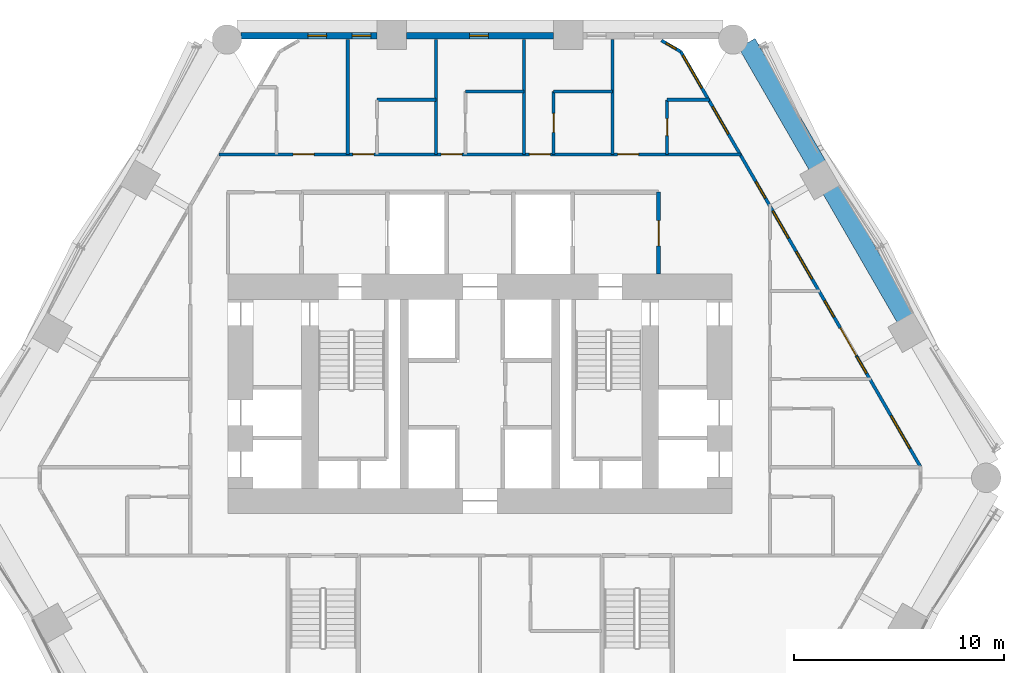
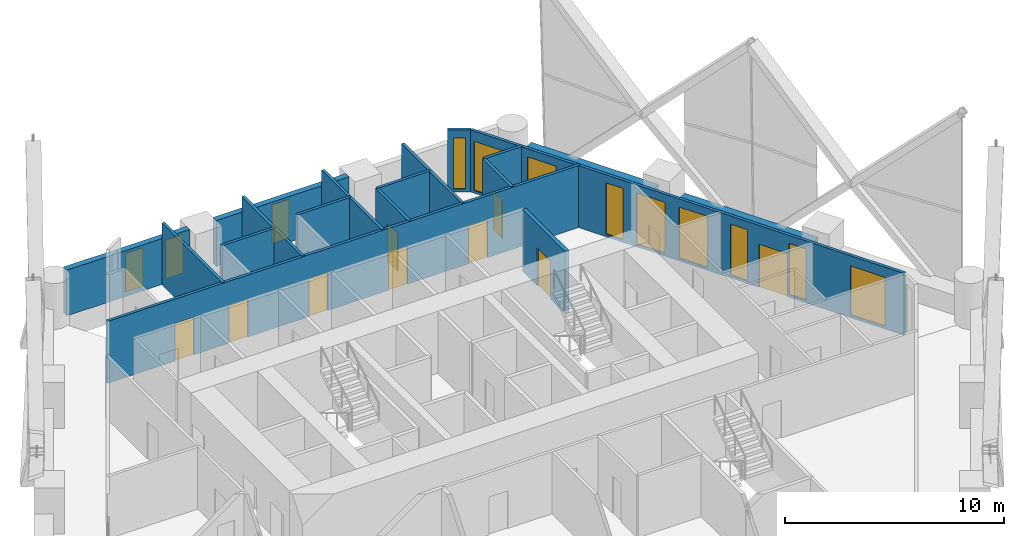
# One storey, part 15 of 22: 18 walls, 12 windows, 9 doors, 21 openings.
"""IFC4 building model written with IfcOpenShell, lengths in metres."""

from ifc_helpers import new_model, si_unit, direction, frame, frame_2d, origin, place, context, subcontext, project, spatial, rectangle, extrude, material, layer, layer_set, type_object, element, fill, save


model = new_model("IFC4")

# Units and contexts
model_context = context("Model", 3, precision=1e-05, world=origin(), true_north=direction((0.0, 1.0)))
body_context = subcontext(model_context, "Body", "Model", "MODEL_VIEW")
ifc_project = project(units=[si_unit("LENGTHUNIT", "METRE"), si_unit("AREAUNIT", "SQUARE_METRE"), si_unit("VOLUMEUNIT", "CUBIC_METRE"), si_unit("PLANEANGLEUNIT", "RADIAN"), si_unit("MASSUNIT", "GRAM", prefix="KILO")], contexts=[model_context])

# Site, building, storey
site_placement = place(None, origin())
site = spatial("IfcSite", under=ifc_project, at=site_placement, CompositionType="ELEMENT")
building_placement = place(site_placement, origin())
building = spatial("IfcBuilding", under=site, at=building_placement, Name="Ostrander Bayou Hotel Tower", CompositionType="ELEMENT")
storey_placement = place(building_placement, frame((0.0, 0.0, 35.5)))
storey = spatial("IfcBuildingStorey", under=building, at=storey_placement, Name="L08", CompositionType="ELEMENT", Elevation=35.5)

# Wall, openings, door, windows
ifc_material_1 = material(Name="Aluminium framed insulated wall", Category="aluminium")
ifc_layer_1 = layer(ifc_material_1, 0.14990234375)
ifc_layer_set_1 = layer_set([ifc_layer_1], Name="GW1 glass-line wall 150 mm")
wall_type_1 = type_object("IfcWallType", Name="GW1 glass-line wall 150 mm", PredefinedType="SOLIDWALL", material=ifc_layer_set_1)
wall_1_placement = place(storey_placement, frame((20.968017578125, 0.532470703125, 0.0), z_axis=(0.0, 0.0, 1.0), x_axis=(-0.500000010132, 0.866025397935, 0.0)))
wall_1 = element("IfcWall", 1, at=wall_1_placement, inside=storey, type_object=wall_type_1, Name="GW1 L08 NE 1", PredefinedType="SOLIDWALL", context=body_context, shape_type="SweptSolid", body=[
    extrude(rectangle(XDim=22.81689453125, YDim=0.14990234375, at=frame_2d((11.408447265625, 0.0))), origin(), (0.0, 0.0, 1.0), 3.449951171875),
])
opening_1_placement = place(wall_1_placement, frame((5.135986328125, 0.0, 0.14990234375)))
opening_1 = element("IfcOpeningElement", 2, at=opening_1_placement, cuts=wall_1, Name="Opening W15", PredefinedType="OPENING", context=body_context, shape_type="SweptSolid", body=[
    extrude(rectangle(XDim=0.89990234375, YDim=2.85009765625, at=frame_2d((0.449951171875, 1.425048828125))), frame((0.0, 0.074951171875, 0.0), z_axis=(0.0, -1.0, 0.0), x_axis=(1.0, 0.0, 0.0)), (0.0, 0.0, 1.0), 0.14990234375),
])
opening_2_placement = place(wall_1_placement, frame((6.122802734375, 0.0, 0.0)))
opening_2 = element("IfcOpeningElement", 3, at=opening_2_placement, cuts=wall_1, Name="Opening T06-808", PredefinedType="OPENING", context=body_context, shape_type="SweptSolid", body=[
    extrude(rectangle(XDim=1.5, YDim=2.39990234375, at=frame_2d((0.75, 1.199951171875))), frame((0.0, 0.074951171875, 0.0), z_axis=(0.0, -1.0, 0.0), x_axis=(1.0, 0.0, 0.0)), (0.0, 0.0, 1.0), 0.14990234375),
])
opening_3_placement = place(wall_1_placement, frame((8.222900390625, 0.0, 0.14990234375)))
opening_3 = element("IfcOpeningElement", 4, at=opening_3_placement, cuts=wall_1, Name="Opening W15", PredefinedType="OPENING", context=body_context, shape_type="SweptSolid", body=[
    extrude(rectangle(XDim=0.89990234375, YDim=2.85009765625, at=frame_2d((0.449951171875, 1.425048828125))), frame((0.0, 0.074951171875, 0.0), z_axis=(0.0, -1.0, 0.0), x_axis=(1.0, 0.0, 0.0)), (0.0, 0.0, 1.0), 0.14990234375),
])
opening_4_placement = place(wall_1_placement, frame((10.32275390625, 0.0, 0.14990234375)))
opening_4 = element("IfcOpeningElement", 5, at=opening_4_placement, cuts=wall_1, Name="Opening W11", PredefinedType="OPENING", context=body_context, shape_type="SweptSolid", body=[
    extrude(rectangle(XDim=1.5, YDim=2.85009765625, at=frame_2d((0.75, 1.425048828125))), frame((0.0, 0.074951171875, 0.0), z_axis=(0.0, -1.0, 0.0), x_axis=(1.0, 0.0, 0.0)), (0.0, 0.0, 1.0), 0.14990234375),
])
opening_5_placement = place(wall_1_placement, frame((14.763916015625, 0.0, 0.14990234375)))
opening_5 = element("IfcOpeningElement", 6, at=opening_5_placement, cuts=wall_1, Name="Opening W15", PredefinedType="OPENING", context=body_context, shape_type="SweptSolid", body=[
    extrude(rectangle(XDim=0.89990234375, YDim=2.85009765625, at=frame_2d((0.449951171875, 1.425048828125))), frame((0.0, 0.074951171875, 0.0), z_axis=(0.0, -1.0, 0.0), x_axis=(1.0, 0.0, 0.0)), (0.0, 0.0, 1.0), 0.14990234375),
])
opening_6_placement = place(wall_1_placement, frame((12.56396484375, 0.0, 0.14990234375)))
opening_6 = element("IfcOpeningElement", 7, at=opening_6_placement, cuts=wall_1, Name="Opening W11", PredefinedType="OPENING", context=body_context, shape_type="SweptSolid", body=[
    extrude(rectangle(XDim=1.5, YDim=2.85009765625, at=frame_2d((0.75, 1.425048828125))), frame((0.0, 0.074951171875, 0.0), z_axis=(0.0, -1.0, 0.0), x_axis=(1.0, 0.0, 0.0)), (0.0, 0.0, 1.0), 0.14990234375),
])
opening_7_placement = place(wall_1_placement, frame((18.293701171875, 0.0, 0.14990234375)))
opening_7 = element("IfcOpeningElement", 8, at=opening_7_placement, cuts=wall_1, Name="Opening W11", PredefinedType="OPENING", context=body_context, shape_type="SweptSolid", body=[
    extrude(rectangle(XDim=1.5, YDim=2.85009765625, at=frame_2d((0.75, 1.425048828125))), frame((0.0, 0.074951171875, 0.0), z_axis=(0.0, -1.0, 0.0), x_axis=(1.0, 0.0, 0.0)), (0.0, 0.0, 1.0), 0.14990234375),
])
opening_8_placement = place(wall_1_placement, frame((0.992919921875, 0.0, 0.14990234375)))
opening_8 = element("IfcOpeningElement", 9, at=opening_8_placement, cuts=wall_1, Name="Opening W1", PredefinedType="OPENING", context=body_context, shape_type="SweptSolid", body=[
    extrude(rectangle(XDim=1.800048828125, YDim=2.72998046875, at=frame_2d((0.89990234375, 1.364990234375))), frame((0.0, 0.074951171875, 0.0), z_axis=(0.0, -1.0, 0.0), x_axis=(1.0, 0.0, 0.0)), (0.0, 0.0, 1.0), 0.14990234375),
])
opening_9_placement = place(wall_1_placement, frame((20.81982421875, 0.0, 0.14990234375)))
opening_9 = element("IfcOpeningElement", 10, at=opening_9_placement, cuts=wall_1, Name="Opening W1", PredefinedType="OPENING", context=body_context, shape_type="SweptSolid", body=[
    extrude(rectangle(XDim=1.800048828125, YDim=2.72998046875, at=frame_2d((0.89990234375, 1.364990234375))), frame((0.0, 0.074951171875, 0.0), z_axis=(0.0, -1.0, 0.0), x_axis=(1.0, 0.0, 0.0)), (0.0, 0.0, 1.0), 0.14990234375),
])
ifc_material_2 = material(Name="Aluminium and clear glass", Category="aluminium")
door_type_1 = type_object("IfcDoorType", Name="SD1 sliding glass door 1500 mm, zone 1", OperationType="SLIDING_TO_LEFT", PredefinedType="DOOR", material=ifc_material_2)
door_1_placement = place(opening_2_placement, origin())
door_1 = element("IfcDoor", 11, at=door_1_placement, inside=storey, type_object=door_type_1, Name="SD1 L08 NE 2", OperationType="SLIDING_TO_RIGHT", OverallHeight=2.39990234375, OverallWidth=1.5, PredefinedType="DOOR", context=body_context, shape_type="SweptSolid", body=[
    extrude(rectangle(XDim=1.5, YDim=2.39990234375, at=frame_2d((0.75, 1.199951171875))), frame((0.0, 0.02490234375, 0.0), z_axis=(0.0, -1.0, 0.0), x_axis=(1.0, 0.0, 0.0)), (0.0, 0.0, 1.0), 0.050048828125),
])
fill(opening_2, door_1)
ifc_material_3 = material(Name="Aluminium and clear glass", Category="aluminium")
window_type_1 = type_object("IfcWindowType", Name="W1 fixed window 1800 mm, zone 1", PartitioningType="SINGLE_PANEL", PredefinedType="WINDOW", material=ifc_material_3)
window_1_placement = place(opening_8_placement, origin())
window_1 = element("IfcWindow", 12, at=window_1_placement, inside=storey, type_object=window_type_1, Name="W1 L08 NE E11", OverallHeight=2.72998046875, OverallWidth=1.800048828125, PartitioningType="SINGLE_PANEL", PredefinedType="WINDOW", context=body_context, shape_type="SweptSolid", body=[
    extrude(rectangle(XDim=1.800048828125, YDim=2.72998046875, at=frame_2d((0.89990234375, 1.364990234375))), frame((0.0, 0.030029296875, 0.0), z_axis=(0.0, -1.0, 0.0), x_axis=(1.0, 0.0, 0.0)), (0.0, 0.0, 1.0), 0.06005859375),
])
fill(opening_8, window_1)
window_2_placement = place(opening_9_placement, origin())
window_2 = element("IfcWindow", 13, at=window_2_placement, inside=storey, type_object=window_type_1, Name="W1 L08 NE E21", OverallHeight=2.72998046875, OverallWidth=1.800048828125, PartitioningType="SINGLE_PANEL", PredefinedType="WINDOW", context=body_context, shape_type="SweptSolid", body=[
    extrude(rectangle(XDim=1.800048828125, YDim=2.72998046875, at=frame_2d((0.89990234375, 1.364990234375))), frame((0.0, 0.030029296875, 0.0), z_axis=(0.0, -1.0, 0.0), x_axis=(1.0, 0.0, 0.0)), (0.0, 0.0, 1.0), 0.06005859375),
])
fill(opening_9, window_2)
ifc_material_4 = material(Name="Aluminium and clear glass", Category="aluminium")
window_type_2 = type_object("IfcWindowType", Name="W11 fixed window 1500 mm, bath bay, zone 1", PartitioningType="SINGLE_PANEL", PredefinedType="WINDOW", material=ifc_material_4)
window_3_placement = place(opening_4_placement, origin())
window_3 = element("IfcWindow", 14, at=window_3_placement, inside=storey, type_object=window_type_2, Name="W11 L08 NE 3", OverallHeight=2.85009765625, OverallWidth=1.5, PartitioningType="SINGLE_PANEL", PredefinedType="WINDOW", context=body_context, shape_type="SweptSolid", body=[
    extrude(rectangle(XDim=1.5, YDim=2.85009765625, at=frame_2d((0.75, 1.425048828125))), frame((0.0, 0.030029296875, 0.0), z_axis=(0.0, -1.0, 0.0), x_axis=(1.0, 0.0, 0.0)), (0.0, 0.0, 1.0), 0.06005859375),
])
fill(opening_4, window_3)
window_4_placement = place(opening_6_placement, origin())
window_4 = element("IfcWindow", 15, at=window_4_placement, inside=storey, type_object=window_type_2, Name="W11 L08 NE 4", OverallHeight=2.85009765625, OverallWidth=1.5, PartitioningType="SINGLE_PANEL", PredefinedType="WINDOW", context=body_context, shape_type="SweptSolid", body=[
    extrude(rectangle(XDim=1.5, YDim=2.85009765625, at=frame_2d((0.75, 1.425048828125))), frame((0.0, 0.030029296875, 0.0), z_axis=(0.0, -1.0, 0.0), x_axis=(1.0, 0.0, 0.0)), (0.0, 0.0, 1.0), 0.06005859375),
])
fill(opening_6, window_4)
window_5_placement = place(opening_7_placement, origin())
window_5 = element("IfcWindow", 16, at=window_5_placement, inside=storey, type_object=window_type_2, Name="W11 L08 NE 5", OverallHeight=2.85009765625, OverallWidth=1.5, PartitioningType="SINGLE_PANEL", PredefinedType="WINDOW", context=body_context, shape_type="SweptSolid", body=[
    extrude(rectangle(XDim=1.5, YDim=2.85009765625, at=frame_2d((0.75, 1.425048828125))), frame((0.0, 0.030029296875, 0.0), z_axis=(0.0, -1.0, 0.0), x_axis=(1.0, 0.0, 0.0)), (0.0, 0.0, 1.0), 0.06005859375),
])
fill(opening_7, window_5)
ifc_material_5 = material(Name="Aluminium and clear glass", Category="aluminium")
window_type_3 = type_object("IfcWindowType", Name="W15 window 900 mm, zone 1", PartitioningType="SINGLE_PANEL", PredefinedType="WINDOW", material=ifc_material_5)
window_6_placement = place(opening_1_placement, origin())
window_6 = element("IfcWindow", 17, at=window_6_placement, inside=storey, type_object=window_type_3, Name="W15 L08 NE 2", OverallHeight=2.85009765625, OverallWidth=0.89990234375, PartitioningType="SINGLE_PANEL", PredefinedType="WINDOW", context=body_context, shape_type="SweptSolid", body=[
    extrude(rectangle(XDim=0.89990234375, YDim=2.85009765625, at=frame_2d((0.449951171875, 1.425048828125))), frame((0.0, 0.030029296875, 0.0), z_axis=(0.0, -1.0, 0.0), x_axis=(1.0, 0.0, 0.0)), (0.0, 0.0, 1.0), 0.06005859375),
])
fill(opening_1, window_6)
window_7_placement = place(opening_3_placement, origin())
window_7 = element("IfcWindow", 18, at=window_7_placement, inside=storey, type_object=window_type_3, Name="W15 L08 NE 3", OverallHeight=2.85009765625, OverallWidth=0.89990234375, PartitioningType="SINGLE_PANEL", PredefinedType="WINDOW", context=body_context, shape_type="SweptSolid", body=[
    extrude(rectangle(XDim=0.89990234375, YDim=2.85009765625, at=frame_2d((0.449951171875, 1.425048828125))), frame((0.0, 0.030029296875, 0.0), z_axis=(0.0, -1.0, 0.0), x_axis=(1.0, 0.0, 0.0)), (0.0, 0.0, 1.0), 0.06005859375),
])
fill(opening_3, window_7)
window_8_placement = place(opening_5_placement, origin())
window_8 = element("IfcWindow", 19, at=window_8_placement, inside=storey, type_object=window_type_3, Name="W15 L08 NE 4", OverallHeight=2.85009765625, OverallWidth=0.89990234375, PartitioningType="SINGLE_PANEL", PredefinedType="WINDOW", context=body_context, shape_type="SweptSolid", body=[
    extrude(rectangle(XDim=0.89990234375, YDim=2.85009765625, at=frame_2d((0.449951171875, 1.425048828125))), frame((0.0, 0.030029296875, 0.0), z_axis=(0.0, -1.0, 0.0), x_axis=(1.0, 0.0, 0.0)), (0.0, 0.0, 1.0), 0.06005859375),
])
fill(opening_5, window_8)

# Wall, opening, window
wall_2_placement = place(storey_placement, frame((9.5595703125, 20.29248046875, 0.0), z_axis=(0.0, 0.0, 1.0), x_axis=(-0.866048165231, 0.499960573946, 0.0)))
wall_2 = element("IfcWall", 20, at=wall_2_placement, inside=storey, type_object=wall_type_1, Name="GW1 L08 corner 6", PredefinedType="SOLIDWALL", context=body_context, shape_type="SweptSolid", body=[
    extrude(rectangle(XDim=1.06494140625, YDim=0.14990234375, at=frame_2d((0.532470703125, 0.0))), origin(), (0.0, 0.0, 1.0), 3.449951171875),
])
opening_10_placement = place(wall_2_placement, frame((0.257568359375, 0.0, 0.14990234375)))
opening_10 = element("IfcOpeningElement", 21, at=opening_10_placement, cuts=wall_2, Name="Opening W19", PredefinedType="OPENING", context=body_context, shape_type="SweptSolid", body=[
    extrude(rectangle(XDim=0.550048828125, YDim=2.85009765625, at=frame_2d((0.27490234375, 1.425048828125))), frame((0.0, 0.074951171875, 0.0), z_axis=(0.0, -1.0, 0.0), x_axis=(1.0, 0.0, 0.0)), (0.0, 0.0, 1.0), 0.14990234375),
])
ifc_material_6 = material(Name="Aluminium and clear glass", Category="aluminium")
window_type_4 = type_object("IfcWindowType", Name="W19 corner window 550 mm", PartitioningType="SINGLE_PANEL", PredefinedType="WINDOW", material=ifc_material_6)
window_9_placement = place(opening_10_placement, origin())
window_9 = element("IfcWindow", 22, at=window_9_placement, inside=storey, type_object=window_type_4, Name="W19 L08 corner 6", OverallHeight=2.85009765625, OverallWidth=0.550048828125, PartitioningType="SINGLE_PANEL", PredefinedType="WINDOW", context=body_context, shape_type="SweptSolid", body=[
    extrude(rectangle(XDim=0.550048828125, YDim=2.85009765625, at=frame_2d((0.27490234375, 1.425048828125))), frame((0.0, 0.030029296875, 0.0), z_axis=(0.0, -1.0, 0.0), x_axis=(1.0, 0.0, 0.0)), (0.0, 0.0, 1.0), 0.06005859375),
])
fill(opening_10, window_9)

ifc_material_7 = material(Name="Reconstituted stone on masonry backing", Category="masonry")
ifc_layer_2 = layer(ifc_material_7, 0.300048828125)
ifc_layer_set_2 = layer_set([ifc_layer_2], Name="NW1 north stone wall 300 mm")
wall_type_2 = type_object("IfcWallType", Name="NW1 north stone wall 300 mm", PredefinedType="SOLIDWALL", material=ifc_layer_set_2)
wall_3_placement = place(storey_placement, frame((3.495361328125, 21.050048828125, 0.0), z_axis=(0.0, 0.0, 1.0), x_axis=(-1.0, 0.0, 0.0)))
wall_3 = element("IfcWall", 23, at=wall_3_placement, inside=storey, type_object=wall_type_2, Name="NW1 L08 N-2", PredefinedType="SOLIDWALL", context=body_context, shape_type="SweptSolid", body=[
    extrude(rectangle(XDim=6.99072265625, YDim=0.300048828125, at=frame_2d((3.495361328125, 0.0))), origin(), (0.0, 0.0, 1.0), 2.550048828125),
])
opening_11_placement = place(wall_3_placement, frame((3.095458984375, 0.0, 0.14990234375)))
opening_11 = element("IfcOpeningElement", 24, at=opening_11_placement, cuts=wall_3, Name="Opening W15", PredefinedType="OPENING", context=body_context, shape_type="SweptSolid", body=[
    extrude(rectangle(XDim=0.89990234375, YDim=2.14990234375, at=frame_2d((0.449951171875, 1.074951171875))), frame((0.0, 0.14990234375, 0.0), z_axis=(0.0, -1.0, 0.0), x_axis=(1.0, 0.0, 0.0)), (0.0, 0.0, 1.0), 0.300048828125),
])
window_10_placement = place(opening_11_placement, origin())
window_10 = element("IfcWindow", 25, at=window_10_placement, inside=storey, type_object=window_type_3, Name="W15 L08 north N-2", OverallHeight=2.14990234375, OverallWidth=0.89990234375, PartitioningType="SINGLE_PANEL", PredefinedType="WINDOW", context=body_context, shape_type="SweptSolid", body=[
    extrude(rectangle(XDim=0.89990234375, YDim=2.14990234375, at=frame_2d((0.449951171875, 1.074951171875))), frame((0.0, 0.030029296875, 0.0), z_axis=(0.0, -1.0, 0.0), x_axis=(1.0, 0.0, 0.0)), (0.0, 0.0, 1.0), 0.06005859375),
])
fill(opening_11, window_10)

# Wall, openings, windows
wall_4_placement = place(storey_placement, frame((-4.8955078125, 21.050048828125, 0.0), z_axis=(0.0, 0.0, 1.0), x_axis=(-1.0, 0.0, 0.0)))
wall_4 = element("IfcWall", 26, at=wall_4_placement, inside=storey, type_object=wall_type_2, Name="NW1 L08 N-3", PredefinedType="SOLIDWALL", context=body_context, shape_type="SweptSolid", body=[
    extrude(rectangle(XDim=6.481201171875, YDim=0.300048828125, at=frame_2d((3.24072265625, 0.0))), origin(), (0.0, 0.0, 1.0), 2.550048828125),
])
opening_12_placement = place(wall_4_placement, frame((0.300048828125, 0.0, 0.14990234375)))
opening_12 = element("IfcOpeningElement", 27, at=opening_12_placement, cuts=wall_4, Name="Opening W15", PredefinedType="OPENING", context=body_context, shape_type="SweptSolid", body=[
    extrude(rectangle(XDim=0.89990234375, YDim=2.14990234375, at=frame_2d((0.449951171875, 1.074951171875))), frame((0.0, 0.14990234375, 0.0), z_axis=(0.0, -1.0, 0.0), x_axis=(1.0, 0.0, 0.0)), (0.0, 0.0, 1.0), 0.300048828125),
])
opening_13_placement = place(wall_4_placement, frame((2.404541015625, 0.0, 0.14990234375)))
opening_13 = element("IfcOpeningElement", 28, at=opening_13_placement, cuts=wall_4, Name="Opening W15", PredefinedType="OPENING", context=body_context, shape_type="SweptSolid", body=[
    extrude(rectangle(XDim=0.89990234375, YDim=2.14990234375, at=frame_2d((0.449951171875, 1.074951171875))), frame((0.0, 0.14990234375, 0.0), z_axis=(0.0, -1.0, 0.0), x_axis=(1.0, 0.0, 0.0)), (0.0, 0.0, 1.0), 0.300048828125),
])
window_11_placement = place(opening_12_placement, origin())
window_11 = element("IfcWindow", 29, at=window_11_placement, inside=storey, type_object=window_type_3, Name="W15 L08 north N-3", OverallHeight=2.14990234375, OverallWidth=0.89990234375, PartitioningType="SINGLE_PANEL", PredefinedType="WINDOW", context=body_context, shape_type="SweptSolid", body=[
    extrude(rectangle(XDim=0.89990234375, YDim=2.14990234375, at=frame_2d((0.449951171875, 1.074951171875))), frame((0.0, 0.030029296875, 0.0), z_axis=(0.0, -1.0, 0.0), x_axis=(1.0, 0.0, 0.0)), (0.0, 0.0, 1.0), 0.06005859375),
])
fill(opening_12, window_11)
window_12_placement = place(opening_13_placement, origin())
window_12 = element("IfcWindow", 30, at=window_12_placement, inside=storey, type_object=window_type_3, Name="W15 L08 north N-3-2", OverallHeight=2.14990234375, OverallWidth=0.89990234375, PartitioningType="SINGLE_PANEL", PredefinedType="WINDOW", context=body_context, shape_type="SweptSolid", body=[
    extrude(rectangle(XDim=0.89990234375, YDim=2.14990234375, at=frame_2d((0.449951171875, 1.074951171875))), frame((0.0, 0.030029296875, 0.0), z_axis=(0.0, -1.0, 0.0), x_axis=(1.0, 0.0, 0.0)), (0.0, 0.0, 1.0), 0.06005859375),
])
fill(opening_13, window_12)

# Walls
ifc_material_8 = material(Name="Concrete f'c 40 MPa", Category="concrete")
ifc_layer_3 = layer(ifc_material_8, 0.89990234375)
ifc_layer_set_3 = layer_set([ifc_layer_3], Name="PA1 stone-faced parapet 900 mm")
wall_type_3 = type_object("IfcWallType", Name="PA1 stone-faced parapet 900 mm", PredefinedType="PARAPET", material=ifc_layer_set_3)
wall_5_placement = place(storey_placement, frame((20.252197265625, 7.621826171875, 0.0), z_axis=(0.0, 0.0, 1.0), x_axis=(-0.499997206141, 0.866027016814, 0.0)))
element("IfcWall", 31, at=wall_5_placement, inside=storey, type_object=wall_type_3, Name="PA1 L08 NE-2", PredefinedType="PARAPET", context=body_context, shape_type="SweptSolid", body=[
    extrude(rectangle(XDim=7.05078125, YDim=0.89990234375, at=frame_2d((3.525390625, 0.0))), origin(), (0.0, 0.0, 1.0), 1.10009765625),
])
wall_6_placement = place(storey_placement, frame((16.056884765625, 14.888671875, 0.0), z_axis=(0.0, 0.0, 1.0), x_axis=(-0.500005133765, 0.866022439784, 0.0)))
element("IfcWall", 32, at=wall_6_placement, inside=storey, type_object=wall_type_3, Name="PA1 L08 NE-3", PredefinedType="PARAPET", context=body_context, shape_type="SweptSolid", body=[
    extrude(rectangle(XDim=6.70361328125, YDim=0.89990234375, at=frame_2d((3.351806640625, 0.0))), origin(), (0.0, 0.0, 1.0), 1.10009765625),
])

# Wall, opening, door
ifc_material_9 = material(Name="Masonry block", Category="masonry")
ifc_layer_4 = layer(ifc_material_9, 0.199951171875)
ifc_layer_set_4 = layer_set([ifc_layer_4], Name="PT5 stair enclosure wall 200 mm masonry, 2 hour")
wall_type_4 = type_object("IfcWallType", Name="PT5 stair enclosure wall 200 mm masonry, 2 hour", PredefinedType="PARTITIONING", material=ifc_layer_set_4)
wall_7_placement = place(storey_placement, frame((8.5, 9.699951171875, 0.0), z_axis=(0.0, 0.0, 1.0), x_axis=(0.0, 1.0, 0.0)))
wall_7 = element("IfcWall", 33, at=wall_7_placement, inside=storey, type_object=wall_type_4, Name="cs:L08:027", PredefinedType="PARTITIONING", context=body_context, shape_type="SweptSolid", body=[
    extrude(rectangle(XDim=3.900146484375, YDim=0.199951171875, at=frame_2d((1.9501953125, 0.0))), origin(), (0.0, 0.0, 1.0), 3.449951171875),
])
opening_14_placement = place(wall_7_placement, frame((1.35009765625, 0.0, 0.0)))
opening_14 = element("IfcOpeningElement", 34, at=opening_14_placement, cuts=wall_7, Name="Opening T06-012", PredefinedType="OPENING", context=body_context, shape_type="SweptSolid", body=[
    extrude(rectangle(XDim=1.199951171875, YDim=2.10009765625, at=frame_2d((0.60009765625, 1.050048828125))), frame((0.0, 0.10009765625, 0.0), z_axis=(0.0, -1.0, 0.0), x_axis=(1.0, 0.0, 0.0)), (0.0, 0.0, 1.0), 0.199951171875),
])
ifc_material_10 = material(Name="Timber door leaf", Category="wood")
door_type_2 = type_object("IfcDoorType", Name="D7 lobby door 1200 x 2100 mm, 1 hour", OperationType="SINGLE_SWING_LEFT", PredefinedType="DOOR", material=ifc_material_10)
door_2_placement = place(opening_14_placement, origin())
door_2 = element("IfcDoor", 35, at=door_2_placement, inside=storey, type_object=door_type_2, Name="dr:L08:012", OperationType="SINGLE_SWING_LEFT", OverallHeight=2.10009765625, OverallWidth=1.199951171875, PredefinedType="DOOR", context=body_context, shape_type="SweptSolid", body=[
    extrude(rectangle(XDim=1.199951171875, YDim=2.10009765625, at=frame_2d((0.60009765625, 1.050048828125))), frame((0.0, 0.02490234375, 0.0), z_axis=(0.0, -1.0, 0.0), x_axis=(1.0, 0.0, 0.0)), (0.0, 0.0, 1.0), 0.050048828125),
])
fill(opening_14, door_2)

# Wall, openings, doors
ifc_material_11 = material(Name="Gypsum board partition", Category="finish")
ifc_layer_5 = layer(ifc_material_11, 0.14990234375)
ifc_layer_set_5 = layer_set([ifc_layer_5], Name="PT8 service band wall 150 mm, 1 hour")
wall_type_5 = type_object("IfcWallType", Name="PT8 service band wall 150 mm, 1 hour", PredefinedType="PARTITIONING", material=ifc_layer_set_5)
wall_8_placement = place(storey_placement, frame((-12.43603515625, 15.39990234375, 0.0), z_axis=(0.0, 0.0, 1.0), x_axis=(1.0, 0.0, 0.0)))
wall_8 = element("IfcWall", 36, at=wall_8_placement, inside=storey, type_object=wall_type_5, Name="gw:L08:014", PredefinedType="PARTITIONING", context=body_context, shape_type="SweptSolid", body=[
    extrude(rectangle(XDim=24.8720703125, YDim=0.14990234375, at=frame_2d((12.43603515625, 0.0))), origin(), (0.0, 0.0, 1.0), 3.449951171875),
])
opening_15_placement = place(wall_8_placement, frame((3.5380859375, 0.0, 0.0)))
opening_15 = element("IfcOpeningElement", 37, at=opening_15_placement, cuts=wall_8, Name="Opening T06-415", PredefinedType="OPENING", context=body_context, shape_type="SweptSolid", body=[
    extrude(rectangle(XDim=1.0, YDim=2.10009765625, at=frame_2d((0.5, 1.050048828125))), frame((0.0, 0.074951171875, 0.0), z_axis=(0.0, -1.0, 0.0), x_axis=(1.0, 0.0, 0.0)), (0.0, 0.0, 1.0), 0.14990234375),
])
opening_16_placement = place(wall_8_placement, frame((6.385986328125, 0.0, 0.0)))
opening_16 = element("IfcOpeningElement", 38, at=opening_16_placement, cuts=wall_8, Name="Opening T06-417", PredefinedType="OPENING", context=body_context, shape_type="SweptSolid", body=[
    extrude(rectangle(XDim=1.0, YDim=2.10009765625, at=frame_2d((0.5, 1.050048828125))), frame((0.0, 0.074951171875, 0.0), z_axis=(0.0, -1.0, 0.0), x_axis=(1.0, 0.0, 0.0)), (0.0, 0.0, 1.0), 0.14990234375),
])
opening_17_placement = place(wall_8_placement, frame((10.5859375, 0.0, 0.0)))
opening_17 = element("IfcOpeningElement", 39, at=opening_17_placement, cuts=wall_8, Name="Opening T06-419", PredefinedType="OPENING", context=body_context, shape_type="SweptSolid", body=[
    extrude(rectangle(XDim=1.0, YDim=2.10009765625, at=frame_2d((0.5, 1.050048828125))), frame((0.0, 0.074951171875, 0.0), z_axis=(0.0, -1.0, 0.0), x_axis=(1.0, 0.0, 0.0)), (0.0, 0.0, 1.0), 0.14990234375),
])
opening_18_placement = place(wall_8_placement, frame((14.785888671875, 0.0, 0.0)))
opening_18 = element("IfcOpeningElement", 40, at=opening_18_placement, cuts=wall_8, Name="Opening T06-421", PredefinedType="OPENING", context=body_context, shape_type="SweptSolid", body=[
    extrude(rectangle(XDim=1.0, YDim=2.10009765625, at=frame_2d((0.5, 1.050048828125))), frame((0.0, 0.074951171875, 0.0), z_axis=(0.0, -1.0, 0.0), x_axis=(1.0, 0.0, 0.0)), (0.0, 0.0, 1.0), 0.14990234375),
])
opening_19_placement = place(wall_8_placement, frame((18.986083984375, 0.0, 0.0)))
opening_19 = element("IfcOpeningElement", 41, at=opening_19_placement, cuts=wall_8, Name="Opening T06-423", PredefinedType="OPENING", context=body_context, shape_type="SweptSolid", body=[
    extrude(rectangle(XDim=1.0, YDim=2.10009765625, at=frame_2d((0.5, 1.050048828125))), frame((0.0, 0.074951171875, 0.0), z_axis=(0.0, -1.0, 0.0), x_axis=(1.0, 0.0, 0.0)), (0.0, 0.0, 1.0), 0.14990234375),
])
ifc_material_12 = material(Name="Timber door leaf", Category="wood")
door_type_3 = type_object("IfcDoorType", Name="D1 guest room door 1000 x 2100 mm, 30 minute", OperationType="SINGLE_SWING_LEFT", PredefinedType="DOOR", material=ifc_material_12)
door_3_placement = place(opening_16_placement, origin())
door_3 = element("IfcDoor", 42, at=door_3_placement, inside=storey, type_object=door_type_3, Name="dr:L08:417", OperationType="SINGLE_SWING_LEFT", OverallHeight=2.10009765625, OverallWidth=1.0, PredefinedType="DOOR", context=body_context, shape_type="SweptSolid", body=[
    extrude(rectangle(XDim=1.0, YDim=2.10009765625, at=frame_2d((0.5, 1.050048828125))), frame((0.0, 0.02490234375, 0.0), z_axis=(0.0, -1.0, 0.0), x_axis=(1.0, 0.0, 0.0)), (0.0, 0.0, 1.0), 0.050048828125),
])
fill(opening_16, door_3)
door_4_placement = place(opening_17_placement, origin())
door_4 = element("IfcDoor", 43, at=door_4_placement, inside=storey, type_object=door_type_3, Name="dr:L08:419", OperationType="SINGLE_SWING_LEFT", OverallHeight=2.10009765625, OverallWidth=1.0, PredefinedType="DOOR", context=body_context, shape_type="SweptSolid", body=[
    extrude(rectangle(XDim=1.0, YDim=2.10009765625, at=frame_2d((0.5, 1.050048828125))), frame((0.0, 0.02490234375, 0.0), z_axis=(0.0, -1.0, 0.0), x_axis=(1.0, 0.0, 0.0)), (0.0, 0.0, 1.0), 0.050048828125),
])
fill(opening_17, door_4)
door_5_placement = place(opening_18_placement, origin())
door_5 = element("IfcDoor", 44, at=door_5_placement, inside=storey, type_object=door_type_3, Name="dr:L08:421", OperationType="SINGLE_SWING_LEFT", OverallHeight=2.10009765625, OverallWidth=1.0, PredefinedType="DOOR", context=body_context, shape_type="SweptSolid", body=[
    extrude(rectangle(XDim=1.0, YDim=2.10009765625, at=frame_2d((0.5, 1.050048828125))), frame((0.0, 0.02490234375, 0.0), z_axis=(0.0, -1.0, 0.0), x_axis=(1.0, 0.0, 0.0)), (0.0, 0.0, 1.0), 0.050048828125),
])
fill(opening_18, door_5)
door_6_placement = place(opening_19_placement, origin())
door_6 = element("IfcDoor", 45, at=door_6_placement, inside=storey, type_object=door_type_3, Name="dr:L08:423", OperationType="SINGLE_SWING_LEFT", OverallHeight=2.10009765625, OverallWidth=1.0, PredefinedType="DOOR", context=body_context, shape_type="SweptSolid", body=[
    extrude(rectangle(XDim=1.0, YDim=2.10009765625, at=frame_2d((0.5, 1.050048828125))), frame((0.0, 0.02490234375, 0.0), z_axis=(0.0, -1.0, 0.0), x_axis=(1.0, 0.0, 0.0)), (0.0, 0.0, 1.0), 0.050048828125),
])
fill(opening_19, door_6)
ifc_material_13 = material(Name="Timber door leaf", Category="wood")
door_type_4 = type_object("IfcDoorType", Name="D15 room door 1000 x 2100 mm", OperationType="SINGLE_SWING_LEFT", PredefinedType="DOOR", material=ifc_material_13)
door_7_placement = place(opening_15_placement, origin())
door_7 = element("IfcDoor", 46, at=door_7_placement, inside=storey, type_object=door_type_4, Name="dr:L08:415", OperationType="SINGLE_SWING_RIGHT", OverallHeight=2.10009765625, OverallWidth=1.0, PredefinedType="DOOR", context=body_context, shape_type="SweptSolid", body=[
    extrude(rectangle(XDim=1.0, YDim=2.10009765625, at=frame_2d((0.5, 1.050048828125))), frame((0.0, 0.02490234375, 0.0), z_axis=(0.0, -1.0, 0.0), x_axis=(1.0, 0.0, 0.0)), (0.0, 0.0, 1.0), 0.050048828125),
])
fill(opening_15, door_7)

# Walls
wall_9_placement = place(storey_placement, frame((-4.89990234375, 18.0, 0.0), z_axis=(0.0, 0.0, 1.0), x_axis=(1.0, 0.0, 0.0)))
element("IfcWall", 47, at=wall_9_placement, inside=storey, type_object=wall_type_5, Name="gw:L08:015", PredefinedType="PARTITIONING", context=body_context, shape_type="SweptSolid", body=[
    extrude(rectangle(XDim=2.7998046875, YDim=0.14990234375, at=frame_2d((1.39990234375, 0.0))), origin(), (0.0, 0.0, 1.0), 3.449951171875),
])
wall_10_placement = place(storey_placement, frame((8.905029296875, 18.0, 0.0), z_axis=(0.0, 0.0, 1.0), x_axis=(1.0, 0.0, 0.0)))
element("IfcWall", 48, at=wall_10_placement, inside=storey, type_object=wall_type_5, Name="gw:L08:016", PredefinedType="PARTITIONING", context=body_context, shape_type="SweptSolid", body=[
    extrude(rectangle(XDim=2.030029296875, YDim=0.14990234375, at=frame_2d((1.01513671875, 0.0))), origin(), (0.0, 0.0, 1.0), 3.449951171875),
])
for number, where, z_axis, x_axis, name in (
    (49, (-0.699951171875, 18.39990234375, 0.0), (0.0, 0.0, 1.0), (1.0, 0.0, 0.0), "gw:L08:017"),
    (50, (3.5, 18.39990234375, 0.0), (0.0, 0.0, 1.0), (1.0, 0.0, 0.0), "gw:L08:018"),
):
    element("IfcWall", number, at=place(storey_placement, frame(where, z_axis=z_axis, x_axis=x_axis)), inside=storey, type_object=wall_type_5, Name=name, PredefinedType="PARTITIONING", context=body_context, shape_type="SweptSolid", body=[
        extrude(rectangle(XDim=2.800048828125, YDim=0.14990234375, at=frame_2d((1.39990234375, 0.0))), origin(), (0.0, 0.0, 1.0), 3.449951171875),
    ])

# Wall, opening, door
wall_11_placement = place(storey_placement, frame((8.905029296875, 15.39990234375, 0.0), z_axis=(0.0, 0.0, 1.0), x_axis=(0.0, 1.0, 0.0)))
wall_11 = element("IfcWall", 51, at=wall_11_placement, inside=storey, type_object=wall_type_5, Name="gw:L08:024", PredefinedType="PARTITIONING", context=body_context, shape_type="SweptSolid", body=[
    extrude(rectangle(XDim=2.60009765625, YDim=0.14990234375, at=frame_2d((1.300048828125, 0.0))), origin(), (0.0, 0.0, 1.0), 3.449951171875),
])
opening_20_placement = place(wall_11_placement, frame((0.89990234375, 0.0, 0.0)))
opening_20 = element("IfcOpeningElement", 52, at=opening_20_placement, cuts=wall_11, Name="Opening T06-424", PredefinedType="OPENING", context=body_context, shape_type="SweptSolid", body=[
    extrude(rectangle(XDim=0.800048828125, YDim=2.10009765625, at=frame_2d((0.39990234375, 1.050048828125))), frame((0.0, 0.074951171875, 0.0), z_axis=(0.0, -1.0, 0.0), x_axis=(1.0, 0.0, 0.0)), (0.0, 0.0, 1.0), 0.14990234375),
])
ifc_material_14 = material(Name="Timber door leaf", Category="wood")
door_type_5 = type_object("IfcDoorType", Name="D2 bathroom door 800 x 2100 mm", OperationType="SINGLE_SWING_LEFT", PredefinedType="DOOR", material=ifc_material_14)
door_8_placement = place(opening_20_placement, origin())
door_8 = element("IfcDoor", 53, at=door_8_placement, inside=storey, type_object=door_type_5, Name="dr:L08:424", OperationType="SINGLE_SWING_LEFT", OverallHeight=2.10009765625, OverallWidth=0.800048828125, PredefinedType="DOOR", context=body_context, shape_type="SweptSolid", body=[
    extrude(rectangle(XDim=0.800048828125, YDim=2.10009765625, at=frame_2d((0.39990234375, 1.050048828125))), frame((0.0, 0.02490234375, 0.0), z_axis=(0.0, -1.0, 0.0), x_axis=(1.0, 0.0, 0.0)), (0.0, 0.0, 1.0), 0.050048828125),
])
fill(opening_20, door_8)

# Wall
wall_12_placement = place(storey_placement, frame((6.300048828125, 15.39990234375, 0.0), z_axis=(0.0, 0.0, 1.0), x_axis=(0.0, 1.0, 0.0)))
element("IfcWall", 54, at=wall_12_placement, inside=storey, type_object=wall_type_5, Name="gw:L08:025", PredefinedType="PARTITIONING", context=body_context, shape_type="SweptSolid", body=[
    extrude(rectangle(XDim=5.47021484375, YDim=0.14990234375, at=frame_2d((2.735107421875, 0.0))), origin(), (0.0, 0.0, 1.0), 3.449951171875),
])

# Wall, opening, door
wall_13_placement = place(storey_placement, frame((3.5, 15.39990234375, 0.0), z_axis=(0.0, 0.0, 1.0), x_axis=(0.0, 1.0, 0.0)))
wall_13 = element("IfcWall", 55, at=wall_13_placement, inside=storey, type_object=wall_type_5, Name="gw:L08:027", PredefinedType="PARTITIONING", context=body_context, shape_type="SweptSolid", body=[
    extrude(rectangle(XDim=3.0, YDim=0.14990234375, at=frame_2d((1.5, 0.0))), origin(), (0.0, 0.0, 1.0), 3.449951171875),
])
opening_21_placement = place(wall_13_placement, frame((1.050048828125, 0.0, 0.0)))
opening_21 = element("IfcOpeningElement", 56, at=opening_21_placement, cuts=wall_13, Name="Opening T06-422", PredefinedType="OPENING", context=body_context, shape_type="SweptSolid", body=[
    extrude(rectangle(XDim=0.89990234375, YDim=2.10009765625, at=frame_2d((0.449951171875, 1.050048828125))), frame((0.0, 0.074951171875, 0.0), z_axis=(0.0, -1.0, 0.0), x_axis=(1.0, 0.0, 0.0)), (0.0, 0.0, 1.0), 0.14990234375),
])
ifc_material_15 = material(Name="Timber door leaf", Category="wood")
door_type_6 = type_object("IfcDoorType", Name="D14 bathroom door 900 x 2100 mm", OperationType="SINGLE_SWING_LEFT", PredefinedType="DOOR", material=ifc_material_15)
door_9_placement = place(opening_21_placement, origin())
door_9 = element("IfcDoor", 57, at=door_9_placement, inside=storey, type_object=door_type_6, Name="dr:L08:422", OperationType="SINGLE_SWING_LEFT", OverallHeight=2.10009765625, OverallWidth=0.89990234375, PredefinedType="DOOR", context=body_context, shape_type="SweptSolid", body=[
    extrude(rectangle(XDim=0.89990234375, YDim=2.10009765625, at=frame_2d((0.449951171875, 1.050048828125))), frame((0.0, 0.02490234375, 0.0), z_axis=(0.0, -1.0, 0.0), x_axis=(1.0, 0.0, 0.0)), (0.0, 0.0, 1.0), 0.050048828125),
])
fill(opening_21, door_9)

# Walls
for number, where, z_axis, x_axis, name in (
    (58, (2.10009765625, 15.39990234375, 0.0), (0.0, 0.0, 1.0), (0.0, 1.0, 0.0), "gw:L08:029"),
    (59, (-2.10009765625, 15.39990234375, 0.0), (0.0, 0.0, 1.0), (0.0, 1.0, 0.0), "gw:L08:032"),
    (60, (-6.300048828125, 15.39990234375, 0.0), (0.0, 0.0, 1.0), (0.0, 1.0, 0.0), "gw:L08:034"),
):
    element("IfcWall", number, at=place(storey_placement, frame(where, z_axis=z_axis, x_axis=x_axis)), inside=storey, type_object=wall_type_5, Name=name, PredefinedType="PARTITIONING", context=body_context, shape_type="SweptSolid", body=[
        extrude(rectangle(XDim=5.47021484375, YDim=0.14990234375, at=frame_2d((2.735107421875, 0.0))), origin(), (0.0, 0.0, 1.0), 3.449951171875),
    ])

save(model, "model.ifc")
